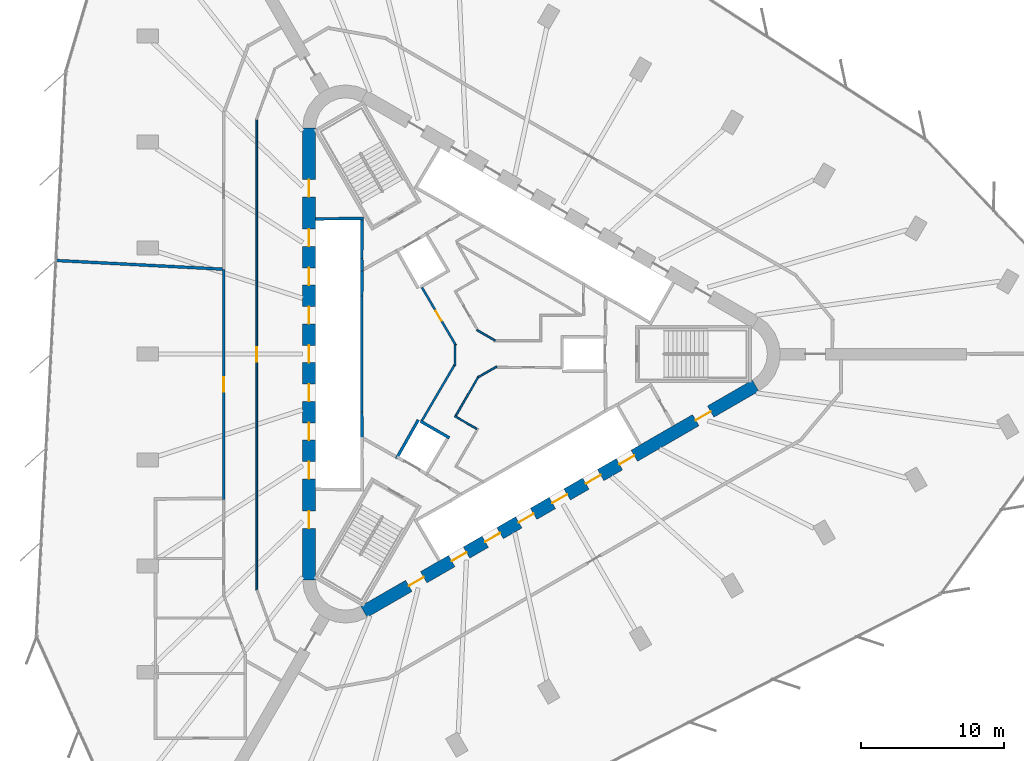
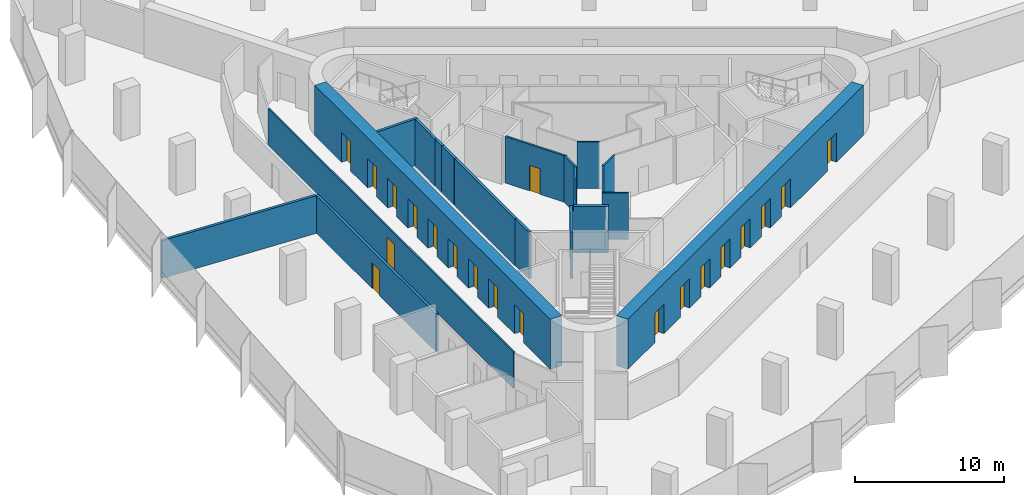
# One storey, part 10 of 14: 20 doors, 20 walls, 20 openings.
"""IFC4 building model written with IfcOpenShell, lengths in metres."""

from ifc_helpers import new_model, si_unit, direction, frame, frame_2d, origin, place, context, subcontext, project, spatial, rectangle, extrude, material, layer, layer_set, type_object, element, fill, save


model = new_model("IFC4")

# Units and contexts
model_context = context("Model", 3, precision=1e-05, world=origin(), true_north=direction((0.0, 1.0)))
body_context = subcontext(model_context, "Body", "Model", "MODEL_VIEW")
ifc_project = project(units=[si_unit("LENGTHUNIT", "METRE"), si_unit("AREAUNIT", "SQUARE_METRE"), si_unit("VOLUMEUNIT", "CUBIC_METRE"), si_unit("PLANEANGLEUNIT", "RADIAN"), si_unit("MASSUNIT", "GRAM", prefix="KILO")], contexts=[model_context])

# Site, building, storey
site_placement = place(None, origin())
site = spatial("IfcSite", under=ifc_project, at=site_placement, CompositionType="ELEMENT")
building_placement = place(site_placement, origin())
building = spatial("IfcBuilding", under=site, at=building_placement, Name="Tanit Gate Tower", CompositionType="ELEMENT")
storey_placement = place(building_placement, frame((0.0, 0.0, 107.0)))
storey = spatial("IfcBuildingStorey", under=building, at=storey_placement, Name="L22", CompositionType="ELEMENT", Elevation=107.0)

# Wall, openings, doors
ifc_material_1 = material(Name="Concrete C60/75", Category="concrete")
ifc_layer_1 = layer(ifc_material_1, 0.89990234375)
ifc_layer_set_1 = layer_set([ifc_layer_1], Name="CORE WALL 900 C60/75")
wall_type_1 = type_object("IfcWallType", Name="CORE WALL 900 C60/75", PredefinedType="SHEAR", material=ifc_layer_set_1)
wall_1_placement = place(storey_placement, frame((-11.64990234375, 15.76171875, 0.0), z_axis=(0.0, 0.0, 1.0), x_axis=(0.0, -1.0, 0.0)))
wall_1 = element("IfcWall", 1, at=wall_1_placement, inside=storey, type_object=wall_type_1, Name="CORE WALL", PredefinedType="SHEAR", context=body_context, shape_type="SweptSolid", body=[
    extrude(rectangle(XDim=31.5234375, YDim=0.89990234375, at=frame_2d((15.76171875, 0.0))), origin(), (0.0, 0.0, 1.0), 4.10009765625),
])
opening_1_placement = place(wall_1_placement, frame((7.061767578125, 0.0, 0.0)))
opening_1 = element("IfcOpeningElement", 2, at=opening_1_placement, cuts=wall_1, Name="Opening LDLL1-S05", PredefinedType="OPENING", context=body_context, shape_type="SweptSolid", body=[
    extrude(rectangle(XDim=1.199951171875, YDim=2.39990234375, at=frame_2d((0.60009765625, 1.199951171875))), frame((0.0, 0.4599609375, 0.0), z_axis=(0.0, -1.0, 0.0), x_axis=(1.0, 0.0, 0.0)), (0.0, 0.0, 1.0), 0.919921875),
])
opening_2_placement = place(wall_1_placement, frame((9.76171875, 0.0, 0.0)))
opening_2 = element("IfcOpeningElement", 3, at=opening_2_placement, cuts=wall_1, Name="Opening LDLL2-S05", PredefinedType="OPENING", context=body_context, shape_type="SweptSolid", body=[
    extrude(rectangle(XDim=1.199951171875, YDim=2.39990234375, at=frame_2d((0.60009765625, 1.199951171875))), frame((0.0, 0.4599609375, 0.0), z_axis=(0.0, -1.0, 0.0), x_axis=(1.0, 0.0, 0.0)), (0.0, 0.0, 1.0), 0.919921875),
])
opening_3_placement = place(wall_1_placement, frame((12.461669921875, 0.0, 0.0)))
opening_3 = element("IfcOpeningElement", 4, at=opening_3_placement, cuts=wall_1, Name="Opening LDLL3-S05", PredefinedType="OPENING", context=body_context, shape_type="SweptSolid", body=[
    extrude(rectangle(XDim=1.199951171875, YDim=2.39990234375, at=frame_2d((0.60009765625, 1.199951171875))), frame((0.0, 0.4599609375, 0.0), z_axis=(0.0, -1.0, 0.0), x_axis=(1.0, 0.0, 0.0)), (0.0, 0.0, 1.0), 0.919921875),
])
opening_4_placement = place(wall_1_placement, frame((15.16162109375, 0.0, 0.0)))
opening_4 = element("IfcOpeningElement", 5, at=opening_4_placement, cuts=wall_1, Name="Opening LDLL4-S05", PredefinedType="OPENING", context=body_context, shape_type="SweptSolid", body=[
    extrude(rectangle(XDim=1.199951171875, YDim=2.39990234375, at=frame_2d((0.60009765625, 1.199951171875))), frame((0.0, 0.4599609375, 0.0), z_axis=(0.0, -1.0, 0.0), x_axis=(1.0, 0.0, 0.0)), (0.0, 0.0, 1.0), 0.919921875),
])
opening_5_placement = place(wall_1_placement, frame((17.86181640625, 0.0, 0.0)))
opening_5 = element("IfcOpeningElement", 6, at=opening_5_placement, cuts=wall_1, Name="Opening LDLL5-S05", PredefinedType="OPENING", context=body_context, shape_type="SweptSolid", body=[
    extrude(rectangle(XDim=1.199951171875, YDim=2.39990234375, at=frame_2d((0.60009765625, 1.199951171875))), frame((0.0, 0.4599609375, 0.0), z_axis=(0.0, -1.0, 0.0), x_axis=(1.0, 0.0, 0.0)), (0.0, 0.0, 1.0), 0.919921875),
])
opening_6_placement = place(wall_1_placement, frame((20.561767578125, 0.0, 0.0)))
opening_6 = element("IfcOpeningElement", 7, at=opening_6_placement, cuts=wall_1, Name="Opening LDLL6-S05", PredefinedType="OPENING", context=body_context, shape_type="SweptSolid", body=[
    extrude(rectangle(XDim=1.199951171875, YDim=2.39990234375, at=frame_2d((0.60009765625, 1.199951171875))), frame((0.0, 0.4599609375, 0.0), z_axis=(0.0, -1.0, 0.0), x_axis=(1.0, 0.0, 0.0)), (0.0, 0.0, 1.0), 0.919921875),
])
opening_7_placement = place(wall_1_placement, frame((23.26171875, 0.0, 0.0)))
opening_7 = element("IfcOpeningElement", 8, at=opening_7_placement, cuts=wall_1, Name="Opening LDLL7-S05", PredefinedType="OPENING", context=body_context, shape_type="SweptSolid", body=[
    extrude(rectangle(XDim=1.199951171875, YDim=2.39990234375, at=frame_2d((0.60009765625, 1.199951171875))), frame((0.0, 0.4599609375, 0.0), z_axis=(0.0, -1.0, 0.0), x_axis=(1.0, 0.0, 0.0)), (0.0, 0.0, 1.0), 0.919921875),
])
opening_8_placement = place(wall_1_placement, frame((3.61181640625, 0.0, 0.0)))
opening_8 = element("IfcOpeningElement", 9, at=opening_8_placement, cuts=wall_1, Name="Opening F12-S05-FL2", PredefinedType="OPENING", context=body_context, shape_type="SweptSolid", body=[
    extrude(rectangle(XDim=1.199951171875, YDim=2.39990234375, at=frame_2d((0.60009765625, 1.199951171875))), frame((0.0, 0.4599609375, 0.0), z_axis=(0.0, -1.0, 0.0), x_axis=(1.0, 0.0, 0.0)), (0.0, 0.0, 1.0), 0.919921875),
])
opening_9_placement = place(wall_1_placement, frame((26.711669921875, 0.0, 0.0)))
opening_9 = element("IfcOpeningElement", 10, at=opening_9_placement, cuts=wall_1, Name="Opening F12-S05-S3", PredefinedType="OPENING", context=body_context, shape_type="SweptSolid", body=[
    extrude(rectangle(XDim=1.199951171875, YDim=2.39990234375, at=frame_2d((0.60009765625, 1.199951171875))), frame((0.0, 0.4599609375, 0.0), z_axis=(0.0, -1.0, 0.0), x_axis=(1.0, 0.0, 0.0)), (0.0, 0.0, 1.0), 0.919921875),
])
ifc_material_2 = material(Name="Fire-rated steel door leaf", Category="steel")
door_type_1 = type_object("IfcDoorType", Name="INT-DOOR-FIRE-LOBBY-1200", OperationType="NOTDEFINED", PredefinedType="USERDEFINED", material=ifc_material_2)
door_1_placement = place(opening_8_placement, origin())
door_1 = element("IfcDoor", 11, at=door_1_placement, inside=storey, type_object=door_type_1, Name="Door F12-S05-FL2", ObjectType="FIRE DOOR", OperationType="SINGLE_SWING_LEFT", OverallHeight=2.39990234375, OverallWidth=1.199951171875, PredefinedType="USERDEFINED", context=body_context, shape_type="SweptSolid", body=[
    extrude(rectangle(XDim=1.199951171875, YDim=2.39990234375, at=frame_2d((0.60009765625, 1.199951171875))), frame((0.0, 0.02490234375, 0.0), z_axis=(0.0, -1.0, 0.0), x_axis=(1.0, 0.0, 0.0)), (0.0, 0.0, 1.0), 0.050048828125),
])
fill(opening_8, door_1)
door_2_placement = place(opening_9_placement, origin())
door_2 = element("IfcDoor", 12, at=door_2_placement, inside=storey, type_object=door_type_1, Name="Door F12-S05-S3", ObjectType="FIRE DOOR", OperationType="SINGLE_SWING_LEFT", OverallHeight=2.39990234375, OverallWidth=1.199951171875, PredefinedType="USERDEFINED", context=body_context, shape_type="SweptSolid", body=[
    extrude(rectangle(XDim=1.199951171875, YDim=2.39990234375, at=frame_2d((0.60009765625, 1.199951171875))), frame((0.0, 0.02490234375, 0.0), z_axis=(0.0, -1.0, 0.0), x_axis=(1.0, 0.0, 0.0)), (0.0, 0.0, 1.0), 0.050048828125),
])
fill(opening_9, door_2)
ifc_material_3 = material(Name="Stainless steel sliding door leaf", Category="steel")
door_type_2 = type_object("IfcDoorType", Name="INT-DOOR-LANDING-1200", OperationType="NOTDEFINED", PredefinedType="USERDEFINED", material=ifc_material_3)
door_3_placement = place(opening_1_placement, origin())
door_3 = element("IfcDoor", 13, at=door_3_placement, inside=storey, type_object=door_type_2, Name="Door LDLL1-S05", ObjectType="LANDING DOOR", OperationType="SLIDING_TO_LEFT", OverallHeight=2.39990234375, OverallWidth=1.199951171875, PredefinedType="USERDEFINED", context=body_context, shape_type="SweptSolid", body=[
    extrude(rectangle(XDim=1.199951171875, YDim=2.39990234375, at=frame_2d((0.60009765625, 1.199951171875))), frame((0.0, 0.02490234375, 0.0), z_axis=(0.0, -1.0, 0.0), x_axis=(1.0, 0.0, 0.0)), (0.0, 0.0, 1.0), 0.050048828125),
])
fill(opening_1, door_3)
door_4_placement = place(opening_2_placement, origin())
door_4 = element("IfcDoor", 14, at=door_4_placement, inside=storey, type_object=door_type_2, Name="Door LDLL2-S05", ObjectType="LANDING DOOR", OperationType="SLIDING_TO_LEFT", OverallHeight=2.39990234375, OverallWidth=1.199951171875, PredefinedType="USERDEFINED", context=body_context, shape_type="SweptSolid", body=[
    extrude(rectangle(XDim=1.199951171875, YDim=2.39990234375, at=frame_2d((0.60009765625, 1.199951171875))), frame((0.0, 0.02490234375, 0.0), z_axis=(0.0, -1.0, 0.0), x_axis=(1.0, 0.0, 0.0)), (0.0, 0.0, 1.0), 0.050048828125),
])
fill(opening_2, door_4)
door_5_placement = place(opening_3_placement, origin())
door_5 = element("IfcDoor", 15, at=door_5_placement, inside=storey, type_object=door_type_2, Name="Door LDLL3-S05", ObjectType="LANDING DOOR", OperationType="SLIDING_TO_LEFT", OverallHeight=2.39990234375, OverallWidth=1.199951171875, PredefinedType="USERDEFINED", context=body_context, shape_type="SweptSolid", body=[
    extrude(rectangle(XDim=1.199951171875, YDim=2.39990234375, at=frame_2d((0.60009765625, 1.199951171875))), frame((0.0, 0.02490234375, 0.0), z_axis=(0.0, -1.0, 0.0), x_axis=(1.0, 0.0, 0.0)), (0.0, 0.0, 1.0), 0.050048828125),
])
fill(opening_3, door_5)
door_6_placement = place(opening_4_placement, origin())
door_6 = element("IfcDoor", 16, at=door_6_placement, inside=storey, type_object=door_type_2, Name="Door LDLL4-S05", ObjectType="LANDING DOOR", OperationType="SLIDING_TO_LEFT", OverallHeight=2.39990234375, OverallWidth=1.199951171875, PredefinedType="USERDEFINED", context=body_context, shape_type="SweptSolid", body=[
    extrude(rectangle(XDim=1.199951171875, YDim=2.39990234375, at=frame_2d((0.60009765625, 1.199951171875))), frame((0.0, 0.02490234375, 0.0), z_axis=(0.0, -1.0, 0.0), x_axis=(1.0, 0.0, 0.0)), (0.0, 0.0, 1.0), 0.050048828125),
])
fill(opening_4, door_6)
door_7_placement = place(opening_5_placement, origin())
door_7 = element("IfcDoor", 17, at=door_7_placement, inside=storey, type_object=door_type_2, Name="Door LDLL5-S05", ObjectType="LANDING DOOR", OperationType="SLIDING_TO_LEFT", OverallHeight=2.39990234375, OverallWidth=1.199951171875, PredefinedType="USERDEFINED", context=body_context, shape_type="SweptSolid", body=[
    extrude(rectangle(XDim=1.199951171875, YDim=2.39990234375, at=frame_2d((0.60009765625, 1.199951171875))), frame((0.0, 0.02490234375, 0.0), z_axis=(0.0, -1.0, 0.0), x_axis=(1.0, 0.0, 0.0)), (0.0, 0.0, 1.0), 0.050048828125),
])
fill(opening_5, door_7)
door_8_placement = place(opening_6_placement, origin())
door_8 = element("IfcDoor", 18, at=door_8_placement, inside=storey, type_object=door_type_2, Name="Door LDLL6-S05", ObjectType="LANDING DOOR", OperationType="SLIDING_TO_LEFT", OverallHeight=2.39990234375, OverallWidth=1.199951171875, PredefinedType="USERDEFINED", context=body_context, shape_type="SweptSolid", body=[
    extrude(rectangle(XDim=1.199951171875, YDim=2.39990234375, at=frame_2d((0.60009765625, 1.199951171875))), frame((0.0, 0.02490234375, 0.0), z_axis=(0.0, -1.0, 0.0), x_axis=(1.0, 0.0, 0.0)), (0.0, 0.0, 1.0), 0.050048828125),
])
fill(opening_6, door_8)
door_9_placement = place(opening_7_placement, origin())
door_9 = element("IfcDoor", 19, at=door_9_placement, inside=storey, type_object=door_type_2, Name="Door LDLL7-S05", ObjectType="LANDING DOOR", OperationType="SLIDING_TO_LEFT", OverallHeight=2.39990234375, OverallWidth=1.199951171875, PredefinedType="USERDEFINED", context=body_context, shape_type="SweptSolid", body=[
    extrude(rectangle(XDim=1.199951171875, YDim=2.39990234375, at=frame_2d((0.60009765625, 1.199951171875))), frame((0.0, 0.02490234375, 0.0), z_axis=(0.0, -1.0, 0.0), x_axis=(1.0, 0.0, 0.0)), (0.0, 0.0, 1.0), 0.050048828125),
])
fill(opening_7, door_9)

wall_2_placement = place(storey_placement, frame((-7.824951171875, -17.969970703125, 0.0), z_axis=(0.0, 0.0, 1.0), x_axis=(0.866028369851, 0.499994862586, 0.0)))
wall_2 = element("IfcWall", 20, at=wall_2_placement, inside=storey, type_object=wall_type_1, Name="CORE WALL", PredefinedType="SHEAR", context=body_context, shape_type="SweptSolid", body=[
    extrude(rectangle(XDim=31.523193359375, YDim=0.89990234375, at=frame_2d((15.76171875, 0.0))), origin(), (0.0, 0.0, 1.0), 4.10009765625),
])
opening_10_placement = place(wall_2_placement, frame((7.061767578125, 0.0, 0.0)))
opening_10 = element("IfcOpeningElement", 21, at=opening_10_placement, cuts=wall_2, Name="Opening LDSX1-S05", PredefinedType="OPENING", context=body_context, shape_type="SweptSolid", body=[
    extrude(rectangle(XDim=1.199951171875, YDim=2.39990234375, at=frame_2d((0.60009765625, 1.199951171875))), frame((0.0, 0.4599609375, 0.0), z_axis=(0.0, -1.0, 0.0), x_axis=(1.0, 0.0, 0.0)), (0.0, 0.0, 1.0), 0.919921875),
])
opening_11_placement = place(wall_2_placement, frame((9.76171875, 0.0, 0.0)))
opening_11 = element("IfcOpeningElement", 22, at=opening_11_placement, cuts=wall_2, Name="Opening LDSX2-S05", PredefinedType="OPENING", context=body_context, shape_type="SweptSolid", body=[
    extrude(rectangle(XDim=1.199951171875, YDim=2.39990234375, at=frame_2d((0.60009765625, 1.199951171875))), frame((0.0, 0.4599609375, 0.0), z_axis=(0.0, -1.0, 0.0), x_axis=(1.0, 0.0, 0.0)), (0.0, 0.0, 1.0), 0.919921875),
])
opening_12_placement = place(wall_2_placement, frame((12.461669921875, 0.0, 0.0)))
opening_12 = element("IfcOpeningElement", 23, at=opening_12_placement, cuts=wall_2, Name="Opening LDSX3-S05", PredefinedType="OPENING", context=body_context, shape_type="SweptSolid", body=[
    extrude(rectangle(XDim=1.199951171875, YDim=2.39990234375, at=frame_2d((0.60009765625, 1.199951171875))), frame((0.0, 0.4599609375, 0.0), z_axis=(0.0, -1.0, 0.0), x_axis=(1.0, 0.0, 0.0)), (0.0, 0.0, 1.0), 0.919921875),
])
opening_13_placement = place(wall_2_placement, frame((15.16162109375, 0.0, 0.0)))
opening_13 = element("IfcOpeningElement", 24, at=opening_13_placement, cuts=wall_2, Name="Opening LDSX4-S05", PredefinedType="OPENING", context=body_context, shape_type="SweptSolid", body=[
    extrude(rectangle(XDim=1.199951171875, YDim=2.39990234375, at=frame_2d((0.60009765625, 1.199951171875))), frame((0.0, 0.4599609375, 0.0), z_axis=(0.0, -1.0, 0.0), x_axis=(1.0, 0.0, 0.0)), (0.0, 0.0, 1.0), 0.919921875),
])
opening_14_placement = place(wall_2_placement, frame((17.861572265625, 0.0, 0.0)))
opening_14 = element("IfcOpeningElement", 25, at=opening_14_placement, cuts=wall_2, Name="Opening LDSV1-S05", PredefinedType="OPENING", context=body_context, shape_type="SweptSolid", body=[
    extrude(rectangle(XDim=1.199951171875, YDim=2.39990234375, at=frame_2d((0.60009765625, 1.199951171875))), frame((0.0, 0.4599609375, 0.0), z_axis=(0.0, -1.0, 0.0), x_axis=(1.0, 0.0, 0.0)), (0.0, 0.0, 1.0), 0.919921875),
])
opening_15_placement = place(wall_2_placement, frame((20.561767578125, 0.0, 0.0)))
opening_15 = element("IfcOpeningElement", 26, at=opening_15_placement, cuts=wall_2, Name="Opening LDSV2-S05", PredefinedType="OPENING", context=body_context, shape_type="SweptSolid", body=[
    extrude(rectangle(XDim=1.199951171875, YDim=2.39990234375, at=frame_2d((0.60009765625, 1.199951171875))), frame((0.0, 0.4599609375, 0.0), z_axis=(0.0, -1.0, 0.0), x_axis=(1.0, 0.0, 0.0)), (0.0, 0.0, 1.0), 0.919921875),
])
opening_16_placement = place(wall_2_placement, frame((26.711669921875, 0.0, 0.0)))
opening_16 = element("IfcOpeningElement", 27, at=opening_16_placement, cuts=wall_2, Name="Opening F12-S05-S1", PredefinedType="OPENING", context=body_context, shape_type="SweptSolid", body=[
    extrude(rectangle(XDim=1.199951171875, YDim=2.39990234375, at=frame_2d((0.60009765625, 1.199951171875))), frame((0.0, 0.4599609375, 0.0), z_axis=(0.0, -1.0, 0.0), x_axis=(1.0, 0.0, 0.0)), (0.0, 0.0, 1.0), 0.919921875),
])
opening_17_placement = place(wall_2_placement, frame((3.611572265625, 0.0, 0.0)))
opening_17 = element("IfcOpeningElement", 28, at=opening_17_placement, cuts=wall_2, Name="Opening F12-S05-FL3", PredefinedType="OPENING", context=body_context, shape_type="SweptSolid", body=[
    extrude(rectangle(XDim=1.199951171875, YDim=2.39990234375, at=frame_2d((0.60009765625, 1.199951171875))), frame((0.0, 0.4599609375, 0.0), z_axis=(0.0, -1.0, 0.0), x_axis=(1.0, 0.0, 0.0)), (0.0, 0.0, 1.0), 0.919921875),
])
door_10_placement = place(opening_16_placement, origin())
door_10 = element("IfcDoor", 29, at=door_10_placement, inside=storey, type_object=door_type_1, Name="Door F12-S05-S1", ObjectType="FIRE DOOR", OperationType="SINGLE_SWING_RIGHT", OverallHeight=2.39990234375, OverallWidth=1.199951171875, PredefinedType="USERDEFINED", context=body_context, shape_type="SweptSolid", body=[
    extrude(rectangle(XDim=1.199951171875, YDim=2.39990234375, at=frame_2d((0.60009765625, 1.199951171875))), frame((0.0, 0.02490234375, 0.0), z_axis=(0.0, -1.0, 0.0), x_axis=(1.0, 0.0, 0.0)), (0.0, 0.0, 1.0), 0.050048828125),
])
fill(opening_16, door_10)
door_11_placement = place(opening_17_placement, origin())
door_11 = element("IfcDoor", 30, at=door_11_placement, inside=storey, type_object=door_type_1, Name="Door F12-S05-FL3", ObjectType="FIRE DOOR", OperationType="SINGLE_SWING_RIGHT", OverallHeight=2.39990234375, OverallWidth=1.199951171875, PredefinedType="USERDEFINED", context=body_context, shape_type="SweptSolid", body=[
    extrude(rectangle(XDim=1.199951171875, YDim=2.39990234375, at=frame_2d((0.60009765625, 1.199951171875))), frame((0.0, 0.02490234375, 0.0), z_axis=(0.0, -1.0, 0.0), x_axis=(1.0, 0.0, 0.0)), (0.0, 0.0, 1.0), 0.050048828125),
])
fill(opening_17, door_11)
door_12_placement = place(opening_10_placement, origin())
door_12 = element("IfcDoor", 31, at=door_12_placement, inside=storey, type_object=door_type_2, Name="Door LDSX1-S05", ObjectType="LANDING DOOR", OperationType="SLIDING_TO_LEFT", OverallHeight=2.39990234375, OverallWidth=1.199951171875, PredefinedType="USERDEFINED", context=body_context, shape_type="SweptSolid", body=[
    extrude(rectangle(XDim=1.199951171875, YDim=2.39990234375, at=frame_2d((0.60009765625, 1.199951171875))), frame((0.0, 0.02490234375, 0.0), z_axis=(0.0, -1.0, 0.0), x_axis=(1.0, 0.0, 0.0)), (0.0, 0.0, 1.0), 0.050048828125),
])
fill(opening_10, door_12)
door_13_placement = place(opening_11_placement, origin())
door_13 = element("IfcDoor", 32, at=door_13_placement, inside=storey, type_object=door_type_2, Name="Door LDSX2-S05", ObjectType="LANDING DOOR", OperationType="SLIDING_TO_LEFT", OverallHeight=2.39990234375, OverallWidth=1.199951171875, PredefinedType="USERDEFINED", context=body_context, shape_type="SweptSolid", body=[
    extrude(rectangle(XDim=1.199951171875, YDim=2.39990234375, at=frame_2d((0.60009765625, 1.199951171875))), frame((0.0, 0.02490234375, 0.0), z_axis=(0.0, -1.0, 0.0), x_axis=(1.0, 0.0, 0.0)), (0.0, 0.0, 1.0), 0.050048828125),
])
fill(opening_11, door_13)
door_14_placement = place(opening_12_placement, origin())
door_14 = element("IfcDoor", 33, at=door_14_placement, inside=storey, type_object=door_type_2, Name="Door LDSX3-S05", ObjectType="LANDING DOOR", OperationType="SLIDING_TO_LEFT", OverallHeight=2.39990234375, OverallWidth=1.199951171875, PredefinedType="USERDEFINED", context=body_context, shape_type="SweptSolid", body=[
    extrude(rectangle(XDim=1.199951171875, YDim=2.39990234375, at=frame_2d((0.60009765625, 1.199951171875))), frame((0.0, 0.02490234375, 0.0), z_axis=(0.0, -1.0, 0.0), x_axis=(1.0, 0.0, 0.0)), (0.0, 0.0, 1.0), 0.050048828125),
])
fill(opening_12, door_14)
door_15_placement = place(opening_13_placement, origin())
door_15 = element("IfcDoor", 34, at=door_15_placement, inside=storey, type_object=door_type_2, Name="Door LDSX4-S05", ObjectType="LANDING DOOR", OperationType="SLIDING_TO_LEFT", OverallHeight=2.39990234375, OverallWidth=1.199951171875, PredefinedType="USERDEFINED", context=body_context, shape_type="SweptSolid", body=[
    extrude(rectangle(XDim=1.199951171875, YDim=2.39990234375, at=frame_2d((0.60009765625, 1.199951171875))), frame((0.0, 0.02490234375, 0.0), z_axis=(0.0, -1.0, 0.0), x_axis=(1.0, 0.0, 0.0)), (0.0, 0.0, 1.0), 0.050048828125),
])
fill(opening_13, door_15)
door_16_placement = place(opening_14_placement, origin())
door_16 = element("IfcDoor", 35, at=door_16_placement, inside=storey, type_object=door_type_2, Name="Door LDSV1-S05", ObjectType="LANDING DOOR", OperationType="SLIDING_TO_LEFT", OverallHeight=2.39990234375, OverallWidth=1.199951171875, PredefinedType="USERDEFINED", context=body_context, shape_type="SweptSolid", body=[
    extrude(rectangle(XDim=1.199951171875, YDim=2.39990234375, at=frame_2d((0.60009765625, 1.199951171875))), frame((0.0, 0.02490234375, 0.0), z_axis=(0.0, -1.0, 0.0), x_axis=(1.0, 0.0, 0.0)), (0.0, 0.0, 1.0), 0.050048828125),
])
fill(opening_14, door_16)
door_17_placement = place(opening_15_placement, origin())
door_17 = element("IfcDoor", 36, at=door_17_placement, inside=storey, type_object=door_type_2, Name="Door LDSV2-S05", ObjectType="LANDING DOOR", OperationType="SLIDING_TO_LEFT", OverallHeight=2.39990234375, OverallWidth=1.199951171875, PredefinedType="USERDEFINED", context=body_context, shape_type="SweptSolid", body=[
    extrude(rectangle(XDim=1.199951171875, YDim=2.39990234375, at=frame_2d((0.60009765625, 1.199951171875))), frame((0.0, 0.02490234375, 0.0), z_axis=(0.0, -1.0, 0.0), x_axis=(1.0, 0.0, 0.0)), (0.0, 0.0, 1.0), 0.050048828125),
])
fill(opening_15, door_17)

# Wall, opening, door
ifc_material_4 = material(Name="Fire-rated gypsum board partition")
ifc_layer_2 = layer(ifc_material_4, 0.199951171875)
ifc_layer_set_2 = layer_set([ifc_layer_2], Name="INT-WALL-COMPARTMENT")
wall_type_2 = type_object("IfcWallType", Name="INT-WALL-COMPARTMENT", PredefinedType="PARTITIONING", material=ifc_layer_set_2)
wall_3_placement = place(storey_placement, frame((-17.60009765625, 5.888427734375, 0.0), z_axis=(0.0, 0.0, 1.0), x_axis=(0.0, -1.0, 0.0)))
wall_3 = element("IfcWall", 37, at=wall_3_placement, inside=storey, type_object=wall_type_2, Name="Wall Compartment W089", PredefinedType="PARTITIONING", context=body_context, shape_type="SweptSolid", body=[
    extrude(rectangle(XDim=16.018310546875, YDim=0.199951171875, at=frame_2d((8.00927734375, 0.0))), origin(), (0.0, 0.0, 1.0), 3.080078125),
])
opening_18_placement = place(wall_3_placement, frame((7.50927734375, 0.0, 0.0)))
opening_18 = element("IfcOpeningElement", 38, at=opening_18_placement, cuts=wall_3, Name="Opening F10-S05-20", PredefinedType="OPENING", context=body_context, shape_type="SweptSolid", body=[
    extrude(rectangle(XDim=1.0, YDim=2.10009765625, at=frame_2d((0.5, 1.050048828125))), frame((0.0, 0.10986328125, 0.0), z_axis=(0.0, -1.0, 0.0), x_axis=(1.0, 0.0, 0.0)), (0.0, 0.0, 1.0), 0.219970703125),
])
ifc_material_5 = material(Name="Fire-rated steel door leaf", Category="steel")
door_type_3 = type_object("IfcDoorType", Name="INT-DOOR-FIRE-1000", OperationType="NOTDEFINED", PredefinedType="USERDEFINED", material=ifc_material_5)
door_18_placement = place(opening_18_placement, origin())
door_18 = element("IfcDoor", 39, at=door_18_placement, inside=storey, type_object=door_type_3, Name="Door F10-S05-20", ObjectType="FIRE DOOR", OperationType="SINGLE_SWING_RIGHT", OverallHeight=2.10009765625, OverallWidth=1.0, PredefinedType="USERDEFINED", context=body_context, shape_type="SweptSolid", body=[
    extrude(rectangle(XDim=1.0, YDim=2.10009765625, at=frame_2d((0.5, 1.050048828125))), frame((0.0, 0.02490234375, 0.0), z_axis=(0.0, -1.0, 0.0), x_axis=(1.0, 0.0, 0.0)), (0.0, 0.0, 1.0), 0.050048828125),
])
fill(opening_18, door_18)

# Walls
wall_4_placement = place(storey_placement, frame((-17.699951171875, 5.916259765625, 0.0), z_axis=(0.0, 0.0, 1.0), x_axis=(-0.998647121722, 0.051999291111, 0.0)))
element("IfcWall", 40, at=wall_4_placement, inside=storey, type_object=wall_type_2, Name="Wall Compartment W109", PredefinedType="PARTITIONING", context=body_context, shape_type="SweptSolid", body=[
    extrude(rectangle(XDim=11.61083984375, YDim=0.199951171875, at=frame_2d((5.805419921875, 0.0))), origin(), (0.0, 0.0, 1.0), 3.080078125),
])
ifc_material_6 = material(Name="Gypsum board partition")
ifc_layer_3 = layer(ifc_material_6, 0.1201171875)
ifc_layer_set_3 = layer_set([ifc_layer_3], Name="INT-WALL-PARTITION")
wall_type_3 = type_object("IfcWallType", Name="INT-WALL-PARTITION", PredefinedType="PARTITIONING", material=ifc_layer_set_3)
wall_5_placement = place(storey_placement, frame((-1.5009765625, -4.32958984375, 0.0), z_axis=(0.0, 0.0, 1.0), x_axis=(0.866059624469, -0.499940723351, 0.0)))
element("IfcWall", 41, at=wall_5_placement, inside=storey, type_object=wall_type_3, Name="Wall Partition W070", PredefinedType="PARTITIONING", context=body_context, shape_type="SweptSolid", body=[
    extrude(rectangle(XDim=1.775146484375, YDim=0.1201171875, at=frame_2d((0.8876953125, 0.0))), origin(), (0.0, 0.0, 1.0), 3.800048828125),
])
wall_6_placement = place(storey_placement, frame((0.181884765625, -1.534912109375, 0.0), z_axis=(0.0, 0.0, 1.0), x_axis=(-0.500001886891, -0.866024314385, 0.0)))
element("IfcWall", 42, at=wall_6_placement, inside=storey, type_object=wall_type_3, Name="Wall Partition W071", PredefinedType="PARTITIONING", context=body_context, shape_type="SweptSolid", body=[
    extrude(rectangle(XDim=3.20166015625, YDim=0.1201171875, at=frame_2d((1.600830078125, 0.0))), origin(), (0.0, 0.0, 1.0), 3.800048828125),
])
wall_7_placement = place(storey_placement, frame((1.43115234375, -0.873779296875, 0.0), z_axis=(0.0, 0.0, 1.0), x_axis=(-0.866037643702, -0.499978799242, 0.0)))
element("IfcWall", 43, at=wall_7_placement, inside=storey, type_object=wall_type_3, Name="Wall Partition W072", PredefinedType="PARTITIONING", context=body_context, shape_type="SweptSolid", body=[
    extrude(rectangle(XDim=1.48388671875, YDim=0.1201171875, at=frame_2d((0.741943359375, 0.0))), origin(), (0.0, 0.0, 1.0), 3.800048828125),
])
wall_8_placement = place(storey_placement, frame((0.039794921875, 1.677001953125, 0.0), z_axis=(0.0, 0.0, 1.0), x_axis=(0.866029572143, -0.499992780121, 0.0)))
element("IfcWall", 44, at=wall_8_placement, inside=storey, type_object=wall_type_3, Name="Wall Partition W080", PredefinedType="PARTITIONING", context=body_context, shape_type="SweptSolid", body=[
    extrude(rectangle(XDim=1.4853515625, YDim=0.1201171875, at=frame_2d((0.74267578125, 0.0))), origin(), (0.0, 0.0, 1.0), 3.800048828125),
])

# Wall, opening, door
wall_9_placement = place(storey_placement, frame((-15.300048828125, 16.34521484375, 0.0), z_axis=(0.0, 0.0, 1.0), x_axis=(0.0, -1.0, 0.0)))
wall_9 = element("IfcWall", 45, at=wall_9_placement, inside=storey, type_object=wall_type_3, Name="Wall Partition W086", PredefinedType="PARTITIONING", context=body_context, shape_type="SweptSolid", body=[
    extrude(rectangle(XDim=32.810546875, YDim=0.1201171875, at=frame_2d((16.4052734375, 0.0))), origin(), (0.0, 0.0, 1.0), 2.97998046875),
])
opening_19_placement = place(wall_9_placement, frame((15.875244140625, 0.0, 0.0)))
opening_19 = element("IfcOpeningElement", 46, at=opening_19_placement, cuts=wall_9, Name="Opening D10-S05-15", PredefinedType="OPENING", context=body_context, shape_type="SweptSolid", body=[
    extrude(rectangle(XDim=1.0, YDim=2.10009765625, at=frame_2d((0.5, 1.050048828125))), frame((0.0, 0.070068359375, 0.0), z_axis=(0.0, -1.0, 0.0), x_axis=(1.0, 0.0, 0.0)), (0.0, 0.0, 1.0), 0.14013671875),
])
ifc_material_7 = material(Name="Timber door leaf", Category="wood")
door_type_4 = type_object("IfcDoorType", Name="INT-DOOR-SINGLE-1000", OperationType="NOTDEFINED", PredefinedType="NOTDEFINED", material=ifc_material_7)
door_19_placement = place(opening_19_placement, origin())
door_19 = element("IfcDoor", 47, at=door_19_placement, inside=storey, type_object=door_type_4, Name="Door D10-S05-15", OperationType="SINGLE_SWING_LEFT", OverallHeight=2.10009765625, OverallWidth=1.0, PredefinedType="NOTDEFINED", context=body_context, shape_type="SweptSolid", body=[
    extrude(rectangle(XDim=1.0, YDim=2.10009765625, at=frame_2d((0.5, 1.050048828125))), frame((0.0, 0.02490234375, 0.0), z_axis=(0.0, -1.0, 0.0), x_axis=(1.0, 0.0, 0.0)), (0.0, 0.0, 1.0), 0.050048828125),
])
fill(opening_19, door_19)

ifc_material_8 = material(Name="Fire-rated gypsum board partition")
ifc_layer_4 = layer(ifc_material_8, 0.14990234375)
ifc_layer_set_4 = layer_set([ifc_layer_4], Name="INT-WALL-RISER")
wall_type_4 = type_object("IfcWallType", Name="INT-WALL-RISER", PredefinedType="PLUMBINGWALL", material=ifc_layer_set_4)
wall_10_placement = place(storey_placement, frame((-1.407470703125, 0.589599609375, 0.0), z_axis=(0.0, 0.0, 1.0), x_axis=(-0.505502864584, 0.862824926562, 0.0)))
wall_10 = element("IfcWall", 48, at=wall_10_placement, inside=storey, type_object=wall_type_4, Name="Wall Riser W065", PredefinedType="PLUMBINGWALL", context=body_context, shape_type="SweptSolid", body=[
    extrude(rectangle(XDim=4.685791015625, YDim=0.14990234375, at=frame_2d((2.3427734375, 0.0))), origin(), (0.0, 0.0, 1.0), 3.800048828125),
])
opening_20_placement = place(wall_10_placement, frame((2.0068359375, 0.0, 0.0)))
opening_20 = element("IfcOpeningElement", 49, at=opening_20_placement, cuts=wall_10, Name="Opening R08-S05-10", PredefinedType="OPENING", context=body_context, shape_type="SweptSolid", body=[
    extrude(rectangle(XDim=0.800048828125, YDim=2.10009765625, at=frame_2d((0.39990234375, 1.050048828125))), frame((0.0, 0.0849609375, 0.0), z_axis=(0.0, -1.0, 0.0), x_axis=(1.0, 0.0, 0.0)), (0.0, 0.0, 1.0), 0.169921875),
])
ifc_material_9 = material(Name="Timber door leaf", Category="wood")
door_type_5 = type_object("IfcDoorType", Name="INT-DOOR-RISER-800", OperationType="NOTDEFINED", PredefinedType="USERDEFINED", material=ifc_material_9)
door_20_placement = place(opening_20_placement, origin())
door_20 = element("IfcDoor", 50, at=door_20_placement, inside=storey, type_object=door_type_5, Name="Door R08-S05-10", ObjectType="FIRE DOOR", OperationType="SINGLE_SWING_RIGHT", OverallHeight=2.10009765625, OverallWidth=0.800048828125, PredefinedType="USERDEFINED", context=body_context, shape_type="SweptSolid", body=[
    extrude(rectangle(XDim=0.800048828125, YDim=2.10009765625, at=frame_2d((0.39990234375, 1.050048828125))), frame((0.0, 0.02490234375, 0.0), z_axis=(0.0, -1.0, 0.0), x_axis=(1.0, 0.0, 0.0)), (0.0, 0.0, 1.0), 0.050048828125),
])
fill(opening_20, door_20)

# Walls
wall_11_placement = place(storey_placement, frame((-1.47216796875, -0.828125, 0.0), z_axis=(0.0, 0.0, 1.0), x_axis=(0.0, 1.0, 0.0)))
element("IfcWall", 51, at=wall_11_placement, inside=storey, type_object=wall_type_4, Name="Wall Riser W066", PredefinedType="PLUMBINGWALL", context=body_context, shape_type="SweptSolid", body=[
    extrude(rectangle(XDim=1.504638671875, YDim=0.14990234375, at=frame_2d((0.75244140625, 0.0))), origin(), (0.0, 0.0, 1.0), 3.800048828125),
])
wall_12_placement = place(storey_placement, frame((-3.776123046875, -4.632568359375, 0.0), z_axis=(0.0, 0.0, 1.0), x_axis=(0.505503910315, 0.8628243139, 0.0)))
element("IfcWall", 52, at=wall_12_placement, inside=storey, type_object=wall_type_4, Name="Wall Riser W067", PredefinedType="PLUMBINGWALL", context=body_context, shape_type="SweptSolid", body=[
    extrude(rectangle(XDim=4.5341796875, YDim=0.14990234375, at=frame_2d((2.26708984375, 0.0))), origin(), (0.0, 0.0, 1.0), 3.800048828125),
])
ifc_material_10 = material(Name="Gypsum shaft wall system")
ifc_layer_5 = layer(ifc_material_10, 0.199951171875)
ifc_layer_set_5 = layer_set([ifc_layer_5], Name="INT-WALL-SHAFT")
wall_type_5 = type_object("IfcWallType", Name="INT-WALL-SHAFT", PredefinedType="PLUMBINGWALL", material=ifc_layer_set_5)
wall_13_placement = place(storey_placement, frame((-11.199951171875, 9.419921875, 0.0), z_axis=(0.0, 0.0, 1.0), x_axis=(0.999957167047, 0.009255488683, 0.0)))
element("IfcWall", 53, at=wall_13_placement, inside=storey, type_object=wall_type_5, Name="Wall Shaft W001", PredefinedType="PLUMBINGWALL", context=body_context, shape_type="SweptSolid", body=[
    extrude(rectangle(XDim=3.35009765625, YDim=0.199951171875, at=frame_2d((1.675048828125, 0.0))), origin(), (0.0, 0.0, 1.0), 3.800048828125),
])
wall_14_placement = place(storey_placement, frame((-7.951171875, 9.35009765625, 0.0), z_axis=(0.0, 0.0, 1.0), x_axis=(-0.011120469654, -0.999938165666, 0.0)))
element("IfcWall", 54, at=wall_14_placement, inside=storey, type_object=wall_type_5, Name="Wall Shaft W002", PredefinedType="PLUMBINGWALL", context=body_context, shape_type="SweptSolid", body=[
    extrude(rectangle(XDim=2.700439453125, YDim=0.199951171875, at=frame_2d((1.35009765625, 0.0))), origin(), (0.0, 0.0, 1.0), 3.800048828125),
])
wall_15_placement = place(storey_placement, frame((-7.97705078125, 6.650146484375, 0.0), z_axis=(0.0, 0.0, 1.0), x_axis=(0.030861509705, -0.999523670164, 0.0)))
element("IfcWall", 55, at=wall_15_placement, inside=storey, type_object=wall_type_5, Name="Wall Shaft W004", PredefinedType="PLUMBINGWALL", context=body_context, shape_type="SweptSolid", body=[
    extrude(rectangle(XDim=0.878173828125, YDim=0.199951171875, at=frame_2d((0.43896484375, 0.0))), origin(), (0.0, 0.0, 1.0), 3.800048828125),
])
wall_16_placement = place(storey_placement, frame((-7.948974609375, 5.894287109375, 0.0), z_axis=(0.0, 0.0, 1.0), x_axis=(-0.016809909365, -0.999858703491, 0.0)))
element("IfcWall", 56, at=wall_16_placement, inside=storey, type_object=wall_type_5, Name="Wall Shaft W005", PredefinedType="PLUMBINGWALL", context=body_context, shape_type="SweptSolid", body=[
    extrude(rectangle(XDim=1.844482421875, YDim=0.199951171875, at=frame_2d((0.92236328125, 0.0))), origin(), (0.0, 0.0, 1.0), 3.800048828125),
])
wall_17_placement = place(storey_placement, frame((-7.97998046875, 4.050048828125, 0.0), z_axis=(0.0, 0.0, 1.0), x_axis=(0.0, -1.0, 0.0)))
element("IfcWall", 57, at=wall_17_placement, inside=storey, type_object=wall_type_5, Name="Wall Shaft W006", PredefinedType="PLUMBINGWALL", context=body_context, shape_type="SweptSolid", body=[
    extrude(rectangle(XDim=8.10009765625, YDim=0.199951171875, at=frame_2d((4.050048828125, 0.0))), origin(), (0.0, 0.0, 1.0), 3.800048828125),
])
wall_18_placement = place(storey_placement, frame((-7.97998046875, -4.050048828125, 0.0), z_axis=(0.0, 0.0, 1.0), x_axis=(0.016809909365, -0.999858703491, 0.0)))
element("IfcWall", 58, at=wall_18_placement, inside=storey, type_object=wall_type_5, Name="Wall Shaft W010", PredefinedType="PLUMBINGWALL", context=body_context, shape_type="SweptSolid", body=[
    extrude(rectangle(XDim=1.844482421875, YDim=0.199951171875, at=frame_2d((0.92236328125, 0.0))), origin(), (0.0, 0.0, 1.0), 3.800048828125),
])
wall_19_placement = place(storey_placement, frame((-5.5625, -7.29638671875, 0.0), z_axis=(0.0, 0.0, 1.0), x_axis=(0.491322718731, 0.870977603649, 0.0)))
element("IfcWall", 59, at=wall_19_placement, inside=storey, type_object=wall_type_5, Name="Wall Shaft W054", PredefinedType="PLUMBINGWALL", context=body_context, shape_type="SweptSolid", body=[
    extrude(rectangle(XDim=3.10009765625, YDim=0.199951171875, at=frame_2d((1.550048828125, 0.0))), origin(), (0.0, 0.0, 1.0), 3.800048828125),
])
wall_20_placement = place(storey_placement, frame((-3.8916015625, -4.681396484375, 0.0), z_axis=(0.0, 0.0, 1.0), x_axis=(0.866009305107, -0.50002788269, 0.0)))
element("IfcWall", 60, at=wall_20_placement, inside=storey, type_object=wall_type_5, Name="Wall Shaft W055", PredefinedType="PLUMBINGWALL", context=body_context, shape_type="SweptSolid", body=[
    extrude(rectangle(XDim=2.329345703125, YDim=0.199951171875, at=frame_2d((1.16455078125, 0.0))), origin(), (0.0, 0.0, 1.0), 3.800048828125),
])

save(model, "model.ifc")
